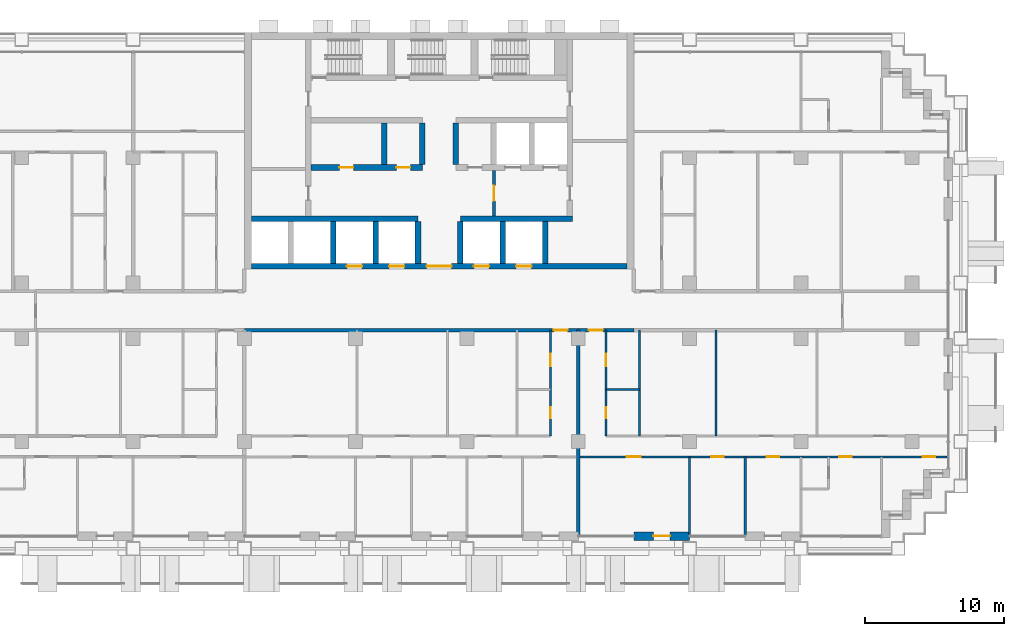
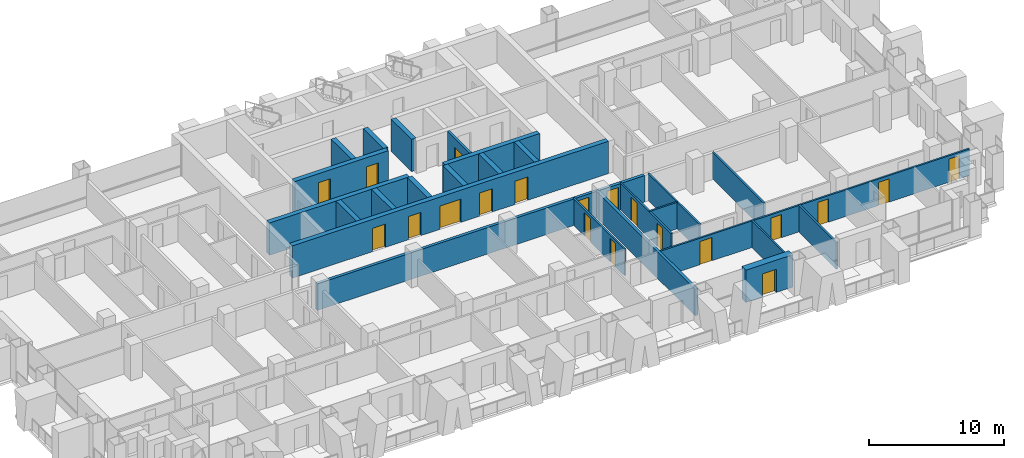
# One storey, part 11 of 18: 25 walls, 20 doors, 20 openings.
"""IFC4 building model written with IfcOpenShell, lengths in metres."""

from ifc_helpers import new_model, si_unit, direction, frame, frame_2d, origin, place, context, subcontext, project, spatial, rectangle, extrude, material, layer, layer_set, type_object, element, fill, save


model = new_model("IFC4")

# Units and contexts
model_context = context("Model", 3, precision=1e-05, world=origin(), true_north=direction((0.0, 1.0)))
body_context = subcontext(model_context, "Body", "Model", "MODEL_VIEW")
ifc_project = project(units=[si_unit("LENGTHUNIT", "METRE"), si_unit("AREAUNIT", "SQUARE_METRE"), si_unit("VOLUMEUNIT", "CUBIC_METRE"), si_unit("PLANEANGLEUNIT", "RADIAN"), si_unit("MASSUNIT", "GRAM", prefix="KILO")], contexts=[model_context])

# Site, building, storey
site_placement = place(None, origin())
site = spatial("IfcSite", under=ifc_project, at=site_placement, CompositionType="ELEMENT")
building_placement = place(site_placement, origin())
building = spatial("IfcBuilding", under=site, at=building_placement, Name="Vidyagriha Tower", CompositionType="ELEMENT")
storey_placement = place(building_placement, frame((0.0, 0.0, 51.199951171875)))
storey = spatial("IfcBuildingStorey", under=building, at=storey_placement, Name="L13", CompositionType="ELEMENT", Elevation=51.199951171875)

# Wall, opening, door
ifc_material_1 = material(Name="Precast concrete C40/50 with brick facing", Category="concrete")
ifc_layer_1 = layer(ifc_material_1, 0.60009765625)
ifc_layer_set_1 = layer_set([ifc_layer_1], Name="Precast concrete C40/50 with brick facing")
wall_type_1 = type_object("IfcWallType", Name="Brick-faced precast wall 600", PredefinedType="STANDARD", material=ifc_layer_set_1)
wall_1_placement = place(storey_placement, frame((14.0, -16.199951171875, 0.0)))
wall_1 = element("IfcWall", 1, at=wall_1_placement, inside=storey, type_object=wall_type_1, Name="Brick door bay wall L13 R23.13", PredefinedType="STANDARD", context=body_context, shape_type="SweptSolid", body=[
    extrude(rectangle(XDim=4.0, YDim=0.60009765625, at=frame_2d((2.0, 0.0))), origin(), (0.0, 0.0, 1.0), 2.920166015625),
])
opening_1_placement = place(wall_1_placement, frame((1.39990234375, 0.0, 0.0)))
opening_1 = element("IfcOpeningElement", 2, at=opening_1_placement, cuts=wall_1, Name="Opening D13-78", PredefinedType="OPENING", context=body_context, shape_type="SweptSolid", body=[
    extrude(rectangle(XDim=1.199951171875, YDim=2.10009765625, at=frame_2d((0.60009765625, 1.050048828125))), frame((0.0, 0.31005859375, 0.0), z_axis=(0.0, -1.0, 0.0), x_axis=(1.0, 0.0, 0.0)), (0.0, 0.0, 1.0), 0.6201171875),
])
ifc_material_2 = material(Name="Aluminium framed glazed sliding door", Category="aluminium")
door_type_1 = type_object("IfcDoorType", Name="Balcony sliding door 1200x2100", OperationType="NOTDEFINED", PredefinedType="DOOR", material=ifc_material_2)
door_1_placement = place(opening_1_placement, origin())
door_1 = element("IfcDoor", 3, at=door_1_placement, inside=storey, type_object=door_type_1, Name="Door D13-78", OperationType="SLIDING_TO_LEFT", OverallHeight=2.10009765625, OverallWidth=1.199951171875, PredefinedType="DOOR", context=body_context, shape_type="SweptSolid", body=[
    extrude(rectangle(XDim=1.199951171875, YDim=2.10009765625, at=frame_2d((0.60009765625, 1.050048828125))), frame((0.0, 0.02490234375, 0.0), z_axis=(0.0, -1.0, 0.0), x_axis=(1.0, 0.0, 0.0)), (0.0, 0.0, 1.0), 0.050048828125),
])
fill(opening_1, door_1)

# Wall, openings, doors
ifc_material_3 = material(Name="Concrete C60/75", Category="concrete")
ifc_layer_2 = layer(ifc_material_3, 0.39990234375)
ifc_layer_set_2 = layer_set([ifc_layer_2], Name="Concrete C60/75")
wall_type_2 = type_object("IfcWallType", Name="Core shear wall 400 mm", PredefinedType="SHEAR", material=ifc_layer_set_2)
wall_2_placement = place(storey_placement, frame((-13.5, 3.199951171875, 0.0)))
wall_2 = element("IfcWall", 4, at=wall_2_placement, inside=storey, type_object=wall_type_2, Name="Core front wall", PredefinedType="SHEAR", context=body_context, shape_type="SweptSolid", body=[
    extrude(rectangle(XDim=27.0, YDim=0.39990234375, at=frame_2d((13.5, 0.0))), origin(), (0.0, 0.0, 1.0), 2.920166015625),
])
opening_2_placement = place(wall_2_placement, frame((6.861083984375, 0.0, 0.0)))
opening_2 = element("IfcOpeningElement", 5, at=opening_2_placement, cuts=wall_2, Name="Opening LD13-01", PredefinedType="OPENING", context=body_context, shape_type="SweptSolid", body=[
    extrude(rectangle(XDim=1.10009765625, YDim=2.10009765625, at=frame_2d((0.550048828125, 1.050048828125))), frame((0.0, 0.2099609375, 0.0), z_axis=(0.0, -1.0, 0.0), x_axis=(1.0, 0.0, 0.0)), (0.0, 0.0, 1.0), 0.419921875),
])
opening_3_placement = place(wall_2_placement, frame((9.905517578125, 0.0, 0.0)))
opening_3 = element("IfcOpeningElement", 6, at=opening_3_placement, cuts=wall_2, Name="Opening LD13-02", PredefinedType="OPENING", context=body_context, shape_type="SweptSolid", body=[
    extrude(rectangle(XDim=1.10009765625, YDim=2.10009765625, at=frame_2d((0.550048828125, 1.050048828125))), frame((0.0, 0.2099609375, 0.0), z_axis=(0.0, -1.0, 0.0), x_axis=(1.0, 0.0, 0.0)), (0.0, 0.0, 1.0), 0.419921875),
])
opening_4_placement = place(wall_2_placement, frame((15.994384765625, 0.0, 0.0)))
opening_4 = element("IfcOpeningElement", 7, at=opening_4_placement, cuts=wall_2, Name="Opening LD13-03", PredefinedType="OPENING", context=body_context, shape_type="SweptSolid", body=[
    extrude(rectangle(XDim=1.10009765625, YDim=2.10009765625, at=frame_2d((0.550048828125, 1.050048828125))), frame((0.0, 0.2099609375, 0.0), z_axis=(0.0, -1.0, 0.0), x_axis=(1.0, 0.0, 0.0)), (0.0, 0.0, 1.0), 0.419921875),
])
opening_5_placement = place(wall_2_placement, frame((19.038818359375, 0.0, 0.0)))
opening_5 = element("IfcOpeningElement", 8, at=opening_5_placement, cuts=wall_2, Name="Opening LD13-04", PredefinedType="OPENING", context=body_context, shape_type="SweptSolid", body=[
    extrude(rectangle(XDim=1.10009765625, YDim=2.10009765625, at=frame_2d((0.550048828125, 1.050048828125))), frame((0.0, 0.2099609375, 0.0), z_axis=(0.0, -1.0, 0.0), x_axis=(1.0, 0.0, 0.0)), (0.0, 0.0, 1.0), 0.419921875),
])
opening_6_placement = place(wall_2_placement, frame((12.60009765625, 0.0, 0.0)))
opening_6 = element("IfcOpeningElement", 9, at=opening_6_placement, cuts=wall_2, Name="Opening D13-01", PredefinedType="OPENING", context=body_context, shape_type="SweptSolid", body=[
    extrude(rectangle(XDim=1.800048828125, YDim=2.10009765625, at=frame_2d((0.89990234375, 1.050048828125))), frame((0.0, 0.2099609375, 0.0), z_axis=(0.0, -1.0, 0.0), x_axis=(1.0, 0.0, 0.0)), (0.0, 0.0, 1.0), 0.419921875),
])
ifc_material_4 = material(Name="Hollow metal door leaf")
door_type_2 = type_object("IfcDoorType", Name="Core lobby double door 1800 x 2100 mm EI 60", OperationType="NOTDEFINED", PredefinedType="DOOR", material=ifc_material_4)
door_2_placement = place(opening_6_placement, frame((1.800048828125, 0.0, 0.0), z_axis=(0.0, 0.0, 1.0), x_axis=(-1.0, 0.0, 0.0)))
door_2 = element("IfcDoor", 10, at=door_2_placement, inside=storey, type_object=door_type_2, Name="Core entrance door L13", OperationType="DOUBLE_DOOR_SINGLE_SWING", OverallHeight=2.10009765625, OverallWidth=1.800048828125, PredefinedType="DOOR", context=body_context, shape_type="SweptSolid", body=[
    extrude(rectangle(XDim=1.800048828125, YDim=2.10009765625, at=frame_2d((0.89990234375, 1.050048828125))), frame((0.0, 0.02490234375, 0.0), z_axis=(0.0, -1.0, 0.0), x_axis=(1.0, 0.0, 0.0)), (0.0, 0.0, 1.0), 0.050048828125),
])
fill(opening_6, door_2)
ifc_material_5 = material(Name="Stainless steel sliding door panel", Category="steel")
door_type_3 = type_object("IfcDoorType", Name="Lift landing door 1100 x 2100 mm EI 90", OperationType="NOTDEFINED", PredefinedType="DOOR", material=ifc_material_5)
door_3_placement = place(opening_2_placement, origin())
door_3 = element("IfcDoor", 11, at=door_3_placement, inside=storey, type_object=door_type_3, Name="Landing door LR1 L13", OperationType="SLIDING_TO_LEFT", OverallHeight=2.10009765625, OverallWidth=1.10009765625, PredefinedType="DOOR", context=body_context, shape_type="SweptSolid", body=[
    extrude(rectangle(XDim=1.10009765625, YDim=2.10009765625, at=frame_2d((0.550048828125, 1.050048828125))), frame((0.0, 0.02490234375, 0.0), z_axis=(0.0, -1.0, 0.0), x_axis=(1.0, 0.0, 0.0)), (0.0, 0.0, 1.0), 0.050048828125),
])
fill(opening_2, door_3)
door_4_placement = place(opening_3_placement, origin())
door_4 = element("IfcDoor", 12, at=door_4_placement, inside=storey, type_object=door_type_3, Name="Landing door LR2 L13", OperationType="SLIDING_TO_LEFT", OverallHeight=2.10009765625, OverallWidth=1.10009765625, PredefinedType="DOOR", context=body_context, shape_type="SweptSolid", body=[
    extrude(rectangle(XDim=1.10009765625, YDim=2.10009765625, at=frame_2d((0.550048828125, 1.050048828125))), frame((0.0, 0.02490234375, 0.0), z_axis=(0.0, -1.0, 0.0), x_axis=(1.0, 0.0, 0.0)), (0.0, 0.0, 1.0), 0.050048828125),
])
fill(opening_3, door_4)
door_5_placement = place(opening_4_placement, origin())
door_5 = element("IfcDoor", 13, at=door_5_placement, inside=storey, type_object=door_type_3, Name="Landing door LR3 L13", OperationType="SLIDING_TO_LEFT", OverallHeight=2.10009765625, OverallWidth=1.10009765625, PredefinedType="DOOR", context=body_context, shape_type="SweptSolid", body=[
    extrude(rectangle(XDim=1.10009765625, YDim=2.10009765625, at=frame_2d((0.550048828125, 1.050048828125))), frame((0.0, 0.02490234375, 0.0), z_axis=(0.0, -1.0, 0.0), x_axis=(1.0, 0.0, 0.0)), (0.0, 0.0, 1.0), 0.050048828125),
])
fill(opening_4, door_5)
door_6_placement = place(opening_5_placement, origin())
door_6 = element("IfcDoor", 14, at=door_6_placement, inside=storey, type_object=door_type_3, Name="Landing door LR4 L13", OperationType="SLIDING_TO_LEFT", OverallHeight=2.10009765625, OverallWidth=1.10009765625, PredefinedType="DOOR", context=body_context, shape_type="SweptSolid", body=[
    extrude(rectangle(XDim=1.10009765625, YDim=2.10009765625, at=frame_2d((0.550048828125, 1.050048828125))), frame((0.0, 0.02490234375, 0.0), z_axis=(0.0, -1.0, 0.0), x_axis=(1.0, 0.0, 0.0)), (0.0, 0.0, 1.0), 0.050048828125),
])
fill(opening_5, door_6)

# Walls
wall_3_placement = place(storey_placement, frame((-13.5, 6.60009765625, 0.0)))
element("IfcWall", 15, at=wall_3_placement, inside=storey, type_object=wall_type_2, Name="Core lobby south wall west", PredefinedType="SHEAR", context=body_context, shape_type="SweptSolid", body=[
    extrude(rectangle(XDim=11.977783203125, YDim=0.39990234375, at=frame_2d((5.98876953125, 0.0))), origin(), (0.0, 0.0, 1.0), 2.920166015625),
])
wall_4_placement = place(storey_placement, frame((1.522216796875, 6.60009765625, 0.0)))
element("IfcWall", 16, at=wall_4_placement, inside=storey, type_object=wall_type_2, Name="Core lobby south wall east", PredefinedType="SHEAR", context=body_context, shape_type="SweptSolid", body=[
    extrude(rectangle(XDim=8.077880859375, YDim=0.39990234375, at=frame_2d((4.0390625, 0.0))), origin(), (0.0, 0.0, 1.0), 2.920166015625),
])
for number, where, z_axis, x_axis, name in (
    (17, (-7.611083984375, 3.39990234375, 0.0), (0.0, 0.0, 1.0), (0.0, 1.0, 0.0), "Core bay wall S2"),
    (18, (-4.566650390625, 3.39990234375, 0.0), (0.0, 0.0, 1.0), (0.0, 1.0, 0.0), "Core bay wall S3"),
    (19, (-1.522216796875, 3.39990234375, 0.0), (0.0, 0.0, 1.0), (0.0, 1.0, 0.0), "Core bay wall S4"),
    (20, (1.522216796875, 3.39990234375, 0.0), (0.0, 0.0, 1.0), (0.0, 1.0, 0.0), "Core bay wall S5"),
    (21, (4.566650390625, 3.39990234375, 0.0), (0.0, 0.0, 1.0), (0.0, 1.0, 0.0), "Core bay wall S6"),
    (22, (7.611083984375, 3.39990234375, 0.0), (0.0, 0.0, 1.0), (0.0, 1.0, 0.0), "Core bay wall S7"),
):
    element("IfcWall", number, at=place(storey_placement, frame(where, z_axis=z_axis, x_axis=x_axis)), inside=storey, type_object=wall_type_2, Name=name, PredefinedType="SHEAR", context=body_context, shape_type="SweptSolid", body=[
        extrude(rectangle(XDim=3.0, YDim=0.39990234375, at=frame_2d((1.5, 0.0))), origin(), (0.0, 0.0, 1.0), 2.920166015625),
    ])

# Wall, openings, doors
wall_5_placement = place(storey_placement, frame((-9.199951171875, 10.300048828125, 0.0)))
wall_5 = element("IfcWall", 23, at=wall_5_placement, inside=storey, type_object=wall_type_2, Name="Core row N front wall", PredefinedType="SHEAR", context=body_context, shape_type="SweptSolid", body=[
    extrude(rectangle(XDim=8.0, YDim=0.39990234375, at=frame_2d((4.0, 0.0))), origin(), (0.0, 0.0, 1.0), 2.920166015625),
])
opening_7_placement = place(wall_5_placement, frame((2.033203125, 0.0, 0.0)))
opening_7 = element("IfcOpeningElement", 24, at=opening_7_placement, cuts=wall_5, Name="Opening D13-02", PredefinedType="OPENING", context=body_context, shape_type="SweptSolid", body=[
    extrude(rectangle(XDim=1.0, YDim=2.10009765625, at=frame_2d((0.5, 1.050048828125))), frame((0.0, 0.2099609375, 0.0), z_axis=(0.0, -1.0, 0.0), x_axis=(1.0, 0.0, 0.0)), (0.0, 0.0, 1.0), 0.419921875),
])
opening_8_placement = place(wall_5_placement, frame((6.13330078125, 0.0, 0.0)))
opening_8 = element("IfcOpeningElement", 25, at=opening_8_placement, cuts=wall_5, Name="Opening D13-03", PredefinedType="OPENING", context=body_context, shape_type="SweptSolid", body=[
    extrude(rectangle(XDim=1.0, YDim=2.10009765625, at=frame_2d((0.5, 1.050048828125))), frame((0.0, 0.2099609375, 0.0), z_axis=(0.0, -1.0, 0.0), x_axis=(1.0, 0.0, 0.0)), (0.0, 0.0, 1.0), 0.419921875),
])
ifc_material_6 = material(Name="Hollow metal door leaf")
door_type_4 = type_object("IfcDoorType", Name="Core room door 1000 x 2100 mm EI 60", OperationType="NOTDEFINED", PredefinedType="DOOR", material=ifc_material_6)
door_7_placement = place(opening_7_placement, frame((1.0, 0.0, 0.0), z_axis=(0.0, 0.0, 1.0), x_axis=(-1.0, 0.0, 0.0)))
door_7 = element("IfcDoor", 26, at=door_7_placement, inside=storey, type_object=door_type_4, Name="Door Refuse Room 13.14", OperationType="SINGLE_SWING_RIGHT", OverallHeight=2.10009765625, OverallWidth=1.0, PredefinedType="DOOR", context=body_context, shape_type="SweptSolid", body=[
    extrude(rectangle(XDim=1.0, YDim=2.10009765625, at=frame_2d((0.5, 1.050048828125))), frame((0.0, 0.02490234375, 0.0), z_axis=(0.0, -1.0, 0.0), x_axis=(1.0, 0.0, 0.0)), (0.0, 0.0, 1.0), 0.050048828125),
])
fill(opening_7, door_7)
door_8_placement = place(opening_8_placement, frame((1.0, 0.0, 0.0), z_axis=(0.0, 0.0, 1.0), x_axis=(-1.0, 0.0, 0.0)))
door_8 = element("IfcDoor", 27, at=door_8_placement, inside=storey, type_object=door_type_4, Name="Door Pressurisation Plant Room 13.15", OperationType="SINGLE_SWING_LEFT", OverallHeight=2.10009765625, OverallWidth=1.0, PredefinedType="DOOR", context=body_context, shape_type="SweptSolid", body=[
    extrude(rectangle(XDim=1.0, YDim=2.10009765625, at=frame_2d((0.5, 1.050048828125))), frame((0.0, 0.02490234375, 0.0), z_axis=(0.0, -1.0, 0.0), x_axis=(1.0, 0.0, 0.0)), (0.0, 0.0, 1.0), 0.050048828125),
])
fill(opening_8, door_8)

# Walls
for number, where, z_axis, x_axis, name in (
    (28, (-3.933349609375, 10.5, 0.0), (0.0, 0.0, 1.0), (0.0, 1.0, 0.0), "Core bay wall N2"),
    (29, (-1.199951171875, 10.5, 0.0), (0.0, 0.0, 1.0), (0.0, 1.0, 0.0), "Core bay wall N3"),
    (30, (1.199951171875, 10.5, 0.0), (0.0, 0.0, 1.0), (0.0, 1.0, 0.0), "Core bay wall N4"),
):
    element("IfcWall", number, at=place(storey_placement, frame(where, z_axis=z_axis, x_axis=x_axis)), inside=storey, type_object=wall_type_2, Name=name, PredefinedType="SHEAR", context=body_context, shape_type="SweptSolid", body=[
        extrude(rectangle(XDim=3.0, YDim=0.39990234375, at=frame_2d((1.5, 0.0))), origin(), (0.0, 0.0, 1.0), 2.920166015625),
    ])

# Wall, openings, doors
ifc_material_7 = material(Name="Fired clay brick masonry", Category="masonry")
ifc_layer_3 = layer(ifc_material_7, 0.25)
ifc_layer_set_3 = layer_set([ifc_layer_3], Name="Fired clay brick masonry")
wall_type_3 = type_object("IfcWallType", Name="Fired clay brick corridor wall 250", PredefinedType="PARTITIONING", material=ifc_layer_set_3)
wall_6_placement = place(storey_placement, frame((14.0, -1.39990234375, 0.0), z_axis=(0.0, 0.0, 1.0), x_axis=(-1.0, 0.0, 0.0)))
wall_6 = element("IfcWall", 31, at=wall_6_placement, inside=storey, type_object=wall_type_3, Name="Wall all-L13-w131", PredefinedType="PARTITIONING", context=body_context, shape_type="SweptSolid", body=[
    extrude(rectangle(XDim=28.0, YDim=0.25, at=frame_2d((14.0, 0.0))), origin(), (0.0, 0.0, 1.0), 2.400146484375),
])
opening_9_placement = place(wall_6_placement, frame((4.760009765625, 0.0, 0.0)))
opening_9 = element("IfcOpeningElement", 32, at=opening_9_placement, cuts=wall_6, Name="Opening D13-34", PredefinedType="OPENING", context=body_context, shape_type="SweptSolid", body=[
    extrude(rectangle(XDim=1.0, YDim=2.10009765625, at=frame_2d((0.5, 1.050048828125))), frame((0.0, 0.135009765625, 0.0), z_axis=(0.0, -1.0, 0.0), x_axis=(1.0, 0.0, 0.0)), (0.0, 0.0, 1.0), 0.27001953125),
])
opening_10_placement = place(wall_6_placement, frame((2.239990234375, 0.0, 0.0)))
opening_10 = element("IfcOpeningElement", 33, at=opening_10_placement, cuts=wall_6, Name="Opening D13-46", PredefinedType="OPENING", context=body_context, shape_type="SweptSolid", body=[
    extrude(rectangle(XDim=1.0, YDim=2.10009765625, at=frame_2d((0.5, 1.050048828125))), frame((0.0, 0.135009765625, 0.0), z_axis=(0.0, -1.0, 0.0), x_axis=(1.0, 0.0, 0.0)), (0.0, 0.0, 1.0), 0.27001953125),
])
ifc_material_8 = material(Name="Fire-rated timber door leaf EI 60", Category="wood")
door_type_5 = type_object("IfcDoorType", Name="Flat entrance fire door 1000x2100", OperationType="NOTDEFINED", PredefinedType="DOOR", material=ifc_material_8)
door_9_placement = place(opening_9_placement, origin())
door_9 = element("IfcDoor", 34, at=door_9_placement, inside=storey, type_object=door_type_5, Name="Door D13-34", OperationType="SINGLE_SWING_LEFT", OverallHeight=2.10009765625, OverallWidth=1.0, PredefinedType="DOOR", context=body_context, shape_type="SweptSolid", body=[
    extrude(rectangle(XDim=1.0, YDim=2.10009765625, at=frame_2d((0.5, 1.050048828125))), frame((0.0, 0.02490234375, 0.0), z_axis=(0.0, -1.0, 0.0), x_axis=(1.0, 0.0, 0.0)), (0.0, 0.0, 1.0), 0.050048828125),
])
fill(opening_9, door_9)
door_10_placement = place(opening_10_placement, origin())
door_10 = element("IfcDoor", 35, at=door_10_placement, inside=storey, type_object=door_type_5, Name="Door D13-46", OperationType="SINGLE_SWING_RIGHT", OverallHeight=2.10009765625, OverallWidth=1.0, PredefinedType="DOOR", context=body_context, shape_type="SweptSolid", body=[
    extrude(rectangle(XDim=1.0, YDim=2.10009765625, at=frame_2d((0.5, 1.050048828125))), frame((0.0, 0.02490234375, 0.0), z_axis=(0.0, -1.0, 0.0), x_axis=(1.0, 0.0, 0.0)), (0.0, 0.0, 1.0), 0.050048828125),
])
fill(opening_10, door_10)

# Walls
ifc_material_9 = material(Name="Fired clay brick masonry", Category="masonry")
ifc_layer_4 = layer(ifc_material_9, 0.25)
ifc_layer_set_4 = layer_set([ifc_layer_4], Name="Fired clay brick masonry")
wall_type_4 = type_object("IfcWallType", Name="Fired clay brick demising wall 250", PredefinedType="PARTITIONING", material=ifc_layer_set_4)
wall_7_placement = place(storey_placement, frame((10.0, -1.39990234375, 0.0), z_axis=(0.0, 0.0, 1.0), x_axis=(0.0, -1.0, 0.0)))
element("IfcWall", 36, at=wall_7_placement, inside=storey, type_object=wall_type_4, Name="Wall all-L13-w072", PredefinedType="PARTITIONING", context=body_context, shape_type="SweptSolid", body=[
    extrude(rectangle(XDim=14.710205078125, YDim=0.25, at=frame_2d((7.35498046875, 0.0))), origin(), (0.0, 0.0, 1.0), 2.400146484375),
])
ifc_material_10 = material(Name="Gypsum board partition")
ifc_layer_5 = layer(ifc_material_10, 0.14990234375)
ifc_layer_set_5 = layer_set([ifc_layer_5], Name="Gypsum board partition")
wall_type_5 = type_object("IfcWallType", Name="Gypsum board partition 150", PredefinedType="PARTITIONING", material=ifc_layer_set_5)
wall_8_placement = place(storey_placement, frame((14.39990234375, -5.64990234375, 0.0), z_axis=(0.0, 0.0, 1.0), x_axis=(-1.0, 0.0, 0.0)))
element("IfcWall", 37, at=wall_8_placement, inside=storey, type_object=wall_type_5, Name="Wall all-L13-w050", PredefinedType="PARTITIONING", context=body_context, shape_type="SweptSolid", body=[
    extrude(rectangle(XDim=2.39990234375, YDim=0.14990234375, at=frame_2d((1.199951171875, 0.0))), origin(), (0.0, 0.0, 1.0), 2.400146484375),
])
for number, where, z_axis, x_axis, name in (
    (38, (14.39990234375, -1.39990234375, 0.0), (0.0, 0.0, 1.0), (0.0, -1.0, 0.0), "Wall all-L13-w051"),
    (39, (19.89990234375, -1.39990234375, 0.0), (0.0, 0.0, 1.0), (0.0, -1.0, 0.0), "Wall all-L13-w052"),
):
    element("IfcWall", number, at=place(storey_placement, frame(where, z_axis=z_axis, x_axis=x_axis)), inside=storey, type_object=wall_type_5, Name=name, PredefinedType="PARTITIONING", context=body_context, shape_type="SweptSolid", body=[
        extrude(rectangle(XDim=7.60009765625, YDim=0.14990234375, at=frame_2d((3.800048828125, 0.0))), origin(), (0.0, 0.0, 1.0), 2.400146484375),
    ])

# Wall, openings, doors
wall_9_placement = place(storey_placement, frame((36.52001953125, -10.5, 0.0), z_axis=(0.0, 0.0, 1.0), x_axis=(-1.0, 0.0, 0.0)))
wall_9 = element("IfcWall", 40, at=wall_9_placement, inside=storey, type_object=wall_type_5, Name="Wall all-L13-w058", PredefinedType="PARTITIONING", context=body_context, shape_type="SweptSolid", body=[
    extrude(rectangle(XDim=26.52001953125, YDim=0.14990234375, at=frame_2d((13.260009765625, 0.0))), origin(), (0.0, 0.0, 1.0), 2.400146484375),
])
opening_11_placement = place(wall_9_placement, frame((22.02001953125, 0.0, 0.0)))
opening_11 = element("IfcOpeningElement", 41, at=opening_11_placement, cuts=wall_9, Name="Opening D13-40", PredefinedType="OPENING", context=body_context, shape_type="SweptSolid", body=[
    extrude(rectangle(XDim=1.0, YDim=2.10009765625, at=frame_2d((0.5, 1.050048828125))), frame((0.0, 0.0849609375, 0.0), z_axis=(0.0, -1.0, 0.0), x_axis=(1.0, 0.0, 0.0)), (0.0, 0.0, 1.0), 0.169921875),
])
opening_12_placement = place(wall_9_placement, frame((16.070068359375, 0.0, 0.0)))
opening_12 = element("IfcOpeningElement", 42, at=opening_12_placement, cuts=wall_9, Name="Opening D13-41", PredefinedType="OPENING", context=body_context, shape_type="SweptSolid", body=[
    extrude(rectangle(XDim=0.89990234375, YDim=2.10009765625, at=frame_2d((0.449951171875, 1.050048828125))), frame((0.0, 0.0849609375, 0.0), z_axis=(0.0, -1.0, 0.0), x_axis=(1.0, 0.0, 0.0)), (0.0, 0.0, 1.0), 0.169921875),
])
opening_13_placement = place(wall_9_placement, frame((12.070068359375, 0.0, 0.0)))
opening_13 = element("IfcOpeningElement", 43, at=opening_13_placement, cuts=wall_9, Name="Opening D13-42", PredefinedType="OPENING", context=body_context, shape_type="SweptSolid", body=[
    extrude(rectangle(XDim=0.89990234375, YDim=2.10009765625, at=frame_2d((0.449951171875, 1.050048828125))), frame((0.0, 0.0849609375, 0.0), z_axis=(0.0, -1.0, 0.0), x_axis=(1.0, 0.0, 0.0)), (0.0, 0.0, 1.0), 0.169921875),
])
opening_14_placement = place(wall_9_placement, frame((6.8701171875, 0.0, 0.0)))
opening_14 = element("IfcOpeningElement", 44, at=opening_14_placement, cuts=wall_9, Name="Opening D13-43", PredefinedType="OPENING", context=body_context, shape_type="SweptSolid", body=[
    extrude(rectangle(XDim=0.89990234375, YDim=2.10009765625, at=frame_2d((0.449951171875, 1.050048828125))), frame((0.0, 0.0849609375, 0.0), z_axis=(0.0, -1.0, 0.0), x_axis=(1.0, 0.0, 0.0)), (0.0, 0.0, 1.0), 0.169921875),
])
opening_15_placement = place(wall_9_placement, frame((0.860107421875, 0.0, 0.0)))
opening_15 = element("IfcOpeningElement", 45, at=opening_15_placement, cuts=wall_9, Name="Opening D13-44", PredefinedType="OPENING", context=body_context, shape_type="SweptSolid", body=[
    extrude(rectangle(XDim=0.89990234375, YDim=2.10009765625, at=frame_2d((0.449951171875, 1.050048828125))), frame((0.0, 0.0849609375, 0.0), z_axis=(0.0, -1.0, 0.0), x_axis=(1.0, 0.0, 0.0)), (0.0, 0.0, 1.0), 0.169921875),
])
ifc_material_11 = material(Name="Timber door leaf", Category="wood")
door_type_6 = type_object("IfcDoorType", Name="Room door 1000x2100", OperationType="NOTDEFINED", PredefinedType="DOOR", material=ifc_material_11)
door_11_placement = place(opening_11_placement, origin())
door_11 = element("IfcDoor", 46, at=door_11_placement, inside=storey, type_object=door_type_6, Name="Door D13-40", OperationType="SINGLE_SWING_RIGHT", OverallHeight=2.10009765625, OverallWidth=1.0, PredefinedType="DOOR", context=body_context, shape_type="SweptSolid", body=[
    extrude(rectangle(XDim=1.0, YDim=2.10009765625, at=frame_2d((0.5, 1.050048828125))), frame((0.0, 0.02490234375, 0.0), z_axis=(0.0, -1.0, 0.0), x_axis=(1.0, 0.0, 0.0)), (0.0, 0.0, 1.0), 0.050048828125),
])
fill(opening_11, door_11)
ifc_material_12 = material(Name="Timber door leaf", Category="wood")
door_type_7 = type_object("IfcDoorType", Name="Room door 900x2100", OperationType="NOTDEFINED", PredefinedType="DOOR", material=ifc_material_12)
door_12_placement = place(opening_12_placement, origin())
door_12 = element("IfcDoor", 47, at=door_12_placement, inside=storey, type_object=door_type_7, Name="Door D13-41", OperationType="SINGLE_SWING_RIGHT", OverallHeight=2.10009765625, OverallWidth=0.89990234375, PredefinedType="DOOR", context=body_context, shape_type="SweptSolid", body=[
    extrude(rectangle(XDim=0.89990234375, YDim=2.10009765625, at=frame_2d((0.449951171875, 1.050048828125))), frame((0.0, 0.02490234375, 0.0), z_axis=(0.0, -1.0, 0.0), x_axis=(1.0, 0.0, 0.0)), (0.0, 0.0, 1.0), 0.050048828125),
])
fill(opening_12, door_12)
door_13_placement = place(opening_13_placement, origin())
door_13 = element("IfcDoor", 48, at=door_13_placement, inside=storey, type_object=door_type_7, Name="Door D13-42", OperationType="SINGLE_SWING_RIGHT", OverallHeight=2.10009765625, OverallWidth=0.89990234375, PredefinedType="DOOR", context=body_context, shape_type="SweptSolid", body=[
    extrude(rectangle(XDim=0.89990234375, YDim=2.10009765625, at=frame_2d((0.449951171875, 1.050048828125))), frame((0.0, 0.02490234375, 0.0), z_axis=(0.0, -1.0, 0.0), x_axis=(1.0, 0.0, 0.0)), (0.0, 0.0, 1.0), 0.050048828125),
])
fill(opening_13, door_13)
door_14_placement = place(opening_14_placement, origin())
door_14 = element("IfcDoor", 49, at=door_14_placement, inside=storey, type_object=door_type_7, Name="Door D13-43", OperationType="SINGLE_SWING_LEFT", OverallHeight=2.10009765625, OverallWidth=0.89990234375, PredefinedType="DOOR", context=body_context, shape_type="SweptSolid", body=[
    extrude(rectangle(XDim=0.89990234375, YDim=2.10009765625, at=frame_2d((0.449951171875, 1.050048828125))), frame((0.0, 0.02490234375, 0.0), z_axis=(0.0, -1.0, 0.0), x_axis=(1.0, 0.0, 0.0)), (0.0, 0.0, 1.0), 0.050048828125),
])
fill(opening_14, door_14)
door_15_placement = place(opening_15_placement, origin())
door_15 = element("IfcDoor", 50, at=door_15_placement, inside=storey, type_object=door_type_7, Name="Door D13-44", OperationType="SINGLE_SWING_LEFT", OverallHeight=2.10009765625, OverallWidth=0.89990234375, PredefinedType="DOOR", context=body_context, shape_type="SweptSolid", body=[
    extrude(rectangle(XDim=0.89990234375, YDim=2.10009765625, at=frame_2d((0.449951171875, 1.050048828125))), frame((0.0, 0.02490234375, 0.0), z_axis=(0.0, -1.0, 0.0), x_axis=(1.0, 0.0, 0.0)), (0.0, 0.0, 1.0), 0.050048828125),
])
fill(opening_15, door_15)

# Walls
wall_10_placement = place(storey_placement, frame((18.0, -10.5, 0.0), z_axis=(0.0, 0.0, 1.0), x_axis=(0.0, -1.0, 0.0)))
element("IfcWall", 51, at=wall_10_placement, inside=storey, type_object=wall_type_5, Name="Wall all-L13-w064", PredefinedType="PARTITIONING", context=body_context, shape_type="SweptSolid", body=[
    extrude(rectangle(XDim=5.610107421875, YDim=0.14990234375, at=frame_2d((2.80517578125, 0.0))), origin(), (0.0, 0.0, 1.0), 2.400146484375),
])
wall_11_placement = place(storey_placement, frame((22.0, -10.5, 0.0), z_axis=(0.0, 0.0, 1.0), x_axis=(0.0, -1.0, 0.0)))
element("IfcWall", 52, at=wall_11_placement, inside=storey, type_object=wall_type_5, Name="Wall all-L13-w065", PredefinedType="PARTITIONING", context=body_context, shape_type="SweptSolid", body=[
    extrude(rectangle(XDim=5.62109375, YDim=0.14990234375, at=frame_2d((2.810546875, 0.0))), origin(), (0.0, 0.0, 1.0), 2.400146484375),
])

# Wall, openings, doors
ifc_material_13 = material(Name="Moisture resistant gypsum board partition")
ifc_layer_6 = layer(ifc_material_13, 0.14990234375)
ifc_layer_set_6 = layer_set([ifc_layer_6], Name="Moisture resistant gypsum board partition")
wall_type_6 = type_object("IfcWallType", Name="Gypsum board wet-area partition 150", PredefinedType="PARTITIONING", material=ifc_layer_set_6)
wall_12_placement = place(storey_placement, frame((8.0, -9.0, 0.0), z_axis=(0.0, 0.0, 1.0), x_axis=(0.0, 1.0, 0.0)))
wall_12 = element("IfcWall", 53, at=wall_12_placement, inside=storey, type_object=wall_type_6, Name="Wall all-L13-w024", PredefinedType="PARTITIONING", context=body_context, shape_type="SweptSolid", body=[
    extrude(rectangle(XDim=7.60009765625, YDim=0.14990234375, at=frame_2d((3.800048828125, 0.0))), origin(), (0.0, 0.0, 1.0), 2.400146484375),
])
opening_16_placement = place(wall_12_placement, frame((5.02490234375, 0.0, 0.0)))
opening_16 = element("IfcOpeningElement", 54, at=opening_16_placement, cuts=wall_12, Name="Opening D13-24", PredefinedType="OPENING", context=body_context, shape_type="SweptSolid", body=[
    extrude(rectangle(XDim=0.89990234375, YDim=2.10009765625, at=frame_2d((0.449951171875, 1.050048828125))), frame((0.0, 0.0849609375, 0.0), z_axis=(0.0, -1.0, 0.0), x_axis=(1.0, 0.0, 0.0)), (0.0, 0.0, 1.0), 0.169921875),
])
opening_17_placement = place(wall_12_placement, frame((1.27490234375, 0.0, 0.0)))
opening_17 = element("IfcOpeningElement", 55, at=opening_17_placement, cuts=wall_12, Name="Opening D13-25", PredefinedType="OPENING", context=body_context, shape_type="SweptSolid", body=[
    extrude(rectangle(XDim=0.800048828125, YDim=2.10009765625, at=frame_2d((0.39990234375, 1.050048828125))), frame((0.0, 0.0849609375, 0.0), z_axis=(0.0, -1.0, 0.0), x_axis=(1.0, 0.0, 0.0)), (0.0, 0.0, 1.0), 0.169921875),
])
ifc_material_14 = material(Name="Timber door leaf", Category="wood")
door_type_8 = type_object("IfcDoorType", Name="Bathroom door 800x2100", OperationType="NOTDEFINED", PredefinedType="DOOR", material=ifc_material_14)
door_16_placement = place(opening_17_placement, origin())
door_16 = element("IfcDoor", 56, at=door_16_placement, inside=storey, type_object=door_type_8, Name="Door D13-25", OperationType="SINGLE_SWING_RIGHT", OverallHeight=2.10009765625, OverallWidth=0.800048828125, PredefinedType="DOOR", context=body_context, shape_type="SweptSolid", body=[
    extrude(rectangle(XDim=0.800048828125, YDim=2.10009765625, at=frame_2d((0.39990234375, 1.050048828125))), frame((0.0, 0.02490234375, 0.0), z_axis=(0.0, -1.0, 0.0), x_axis=(1.0, 0.0, 0.0)), (0.0, 0.0, 1.0), 0.050048828125),
])
fill(opening_17, door_16)
ifc_material_15 = material(Name="Timber door leaf", Category="wood")
door_type_9 = type_object("IfcDoorType", Name="Kitchen door 900x2100", OperationType="NOTDEFINED", PredefinedType="DOOR", material=ifc_material_15)
door_17_placement = place(opening_16_placement, origin())
door_17 = element("IfcDoor", 57, at=door_17_placement, inside=storey, type_object=door_type_9, Name="Door D13-24", OperationType="SINGLE_SWING_LEFT", OverallHeight=2.10009765625, OverallWidth=0.89990234375, PredefinedType="DOOR", context=body_context, shape_type="SweptSolid", body=[
    extrude(rectangle(XDim=0.89990234375, YDim=2.10009765625, at=frame_2d((0.449951171875, 1.050048828125))), frame((0.0, 0.02490234375, 0.0), z_axis=(0.0, -1.0, 0.0), x_axis=(1.0, 0.0, 0.0)), (0.0, 0.0, 1.0), 0.050048828125),
])
fill(opening_16, door_17)

wall_13_placement = place(storey_placement, frame((12.0, -1.39990234375, 0.0), z_axis=(0.0, 0.0, 1.0), x_axis=(0.0, -1.0, 0.0)))
wall_13 = element("IfcWall", 58, at=wall_13_placement, inside=storey, type_object=wall_type_6, Name="Wall all-L13-w047", PredefinedType="PARTITIONING", context=body_context, shape_type="SweptSolid", body=[
    extrude(rectangle(XDim=7.60009765625, YDim=0.14990234375, at=frame_2d((3.800048828125, 0.0))), origin(), (0.0, 0.0, 1.0), 2.400146484375),
])
opening_18_placement = place(wall_13_placement, frame((1.675048828125, 0.0, 0.0)))
opening_18 = element("IfcOpeningElement", 59, at=opening_18_placement, cuts=wall_13, Name="Opening D13-35", PredefinedType="OPENING", context=body_context, shape_type="SweptSolid", body=[
    extrude(rectangle(XDim=0.89990234375, YDim=2.10009765625, at=frame_2d((0.449951171875, 1.050048828125))), frame((0.0, 0.0849609375, 0.0), z_axis=(0.0, -1.0, 0.0), x_axis=(1.0, 0.0, 0.0)), (0.0, 0.0, 1.0), 0.169921875),
])
opening_19_placement = place(wall_13_placement, frame((5.52490234375, 0.0, 0.0)))
opening_19 = element("IfcOpeningElement", 60, at=opening_19_placement, cuts=wall_13, Name="Opening D13-36", PredefinedType="OPENING", context=body_context, shape_type="SweptSolid", body=[
    extrude(rectangle(XDim=0.800048828125, YDim=2.10009765625, at=frame_2d((0.39990234375, 1.050048828125))), frame((0.0, 0.0849609375, 0.0), z_axis=(0.0, -1.0, 0.0), x_axis=(1.0, 0.0, 0.0)), (0.0, 0.0, 1.0), 0.169921875),
])
door_18_placement = place(opening_19_placement, origin())
door_18 = element("IfcDoor", 61, at=door_18_placement, inside=storey, type_object=door_type_8, Name="Door D13-36", OperationType="SINGLE_SWING_RIGHT", OverallHeight=2.10009765625, OverallWidth=0.800048828125, PredefinedType="DOOR", context=body_context, shape_type="SweptSolid", body=[
    extrude(rectangle(XDim=0.800048828125, YDim=2.10009765625, at=frame_2d((0.39990234375, 1.050048828125))), frame((0.0, 0.02490234375, 0.0), z_axis=(0.0, -1.0, 0.0), x_axis=(1.0, 0.0, 0.0)), (0.0, 0.0, 1.0), 0.050048828125),
])
fill(opening_19, door_18)
door_19_placement = place(opening_18_placement, origin())
door_19 = element("IfcDoor", 62, at=door_19_placement, inside=storey, type_object=door_type_9, Name="Door D13-35", OperationType="SINGLE_SWING_LEFT", OverallHeight=2.10009765625, OverallWidth=0.89990234375, PredefinedType="DOOR", context=body_context, shape_type="SweptSolid", body=[
    extrude(rectangle(XDim=0.89990234375, YDim=2.10009765625, at=frame_2d((0.449951171875, 1.050048828125))), frame((0.0, 0.02490234375, 0.0), z_axis=(0.0, -1.0, 0.0), x_axis=(1.0, 0.0, 0.0)), (0.0, 0.0, 1.0), 0.050048828125),
])
fill(opening_18, door_19)

# Wall, opening, door
ifc_material_16 = material(Name="Blockwork 15 MPa", Category="masonry")
ifc_layer_7 = layer(ifc_material_16, 0.199951171875)
ifc_layer_set_7 = layer_set([ifc_layer_7], Name="Blockwork 15 MPa")
wall_type_7 = type_object("IfcWallType", Name="Service room partition 200 mm", PredefinedType="PARTITIONING", material=ifc_layer_set_7)
wall_14_placement = place(storey_placement, frame((3.933349609375, 6.800048828125, 0.0), z_axis=(0.0, 0.0, 1.0), x_axis=(0.0, 1.0, 0.0)))
wall_14 = element("IfcWall", 63, at=wall_14_placement, inside=storey, type_object=wall_type_7, Name="Fire-fighting lobby west wall", PredefinedType="PARTITIONING", context=body_context, shape_type="SweptSolid", body=[
    extrude(rectangle(XDim=3.300048828125, YDim=0.199951171875, at=frame_2d((1.64990234375, 0.0))), origin(), (0.0, 0.0, 1.0), 2.920166015625),
])
opening_20_placement = place(wall_14_placement, frame((1.10009765625, 0.0, 0.0)))
opening_20 = element("IfcOpeningElement", 64, at=opening_20_placement, cuts=wall_14, Name="Opening D13-05", PredefinedType="OPENING", context=body_context, shape_type="SweptSolid", body=[
    extrude(rectangle(XDim=1.10009765625, YDim=2.10009765625, at=frame_2d((0.550048828125, 1.050048828125))), frame((0.0, 0.10986328125, 0.0), z_axis=(0.0, -1.0, 0.0), x_axis=(1.0, 0.0, 0.0)), (0.0, 0.0, 1.0), 0.219970703125),
])
ifc_material_17 = material(Name="Hollow metal door leaf")
door_type_10 = type_object("IfcDoorType", Name="Fire-fighting lobby door 1100 x 2100 mm EI 90", OperationType="NOTDEFINED", PredefinedType="DOOR", material=ifc_material_17)
door_20_placement = place(opening_20_placement, origin())
door_20 = element("IfcDoor", 65, at=door_20_placement, inside=storey, type_object=door_type_10, Name="Fire-fighting lobby door L13", OperationType="SINGLE_SWING_RIGHT", OverallHeight=2.10009765625, OverallWidth=1.10009765625, PredefinedType="DOOR", context=body_context, shape_type="SweptSolid", body=[
    extrude(rectangle(XDim=1.10009765625, YDim=2.10009765625, at=frame_2d((0.550048828125, 1.050048828125))), frame((0.0, 0.02490234375, 0.0), z_axis=(0.0, -1.0, 0.0), x_axis=(1.0, 0.0, 0.0)), (0.0, 0.0, 1.0), 0.050048828125),
])
fill(opening_20, door_20)

save(model, "model.ifc")
